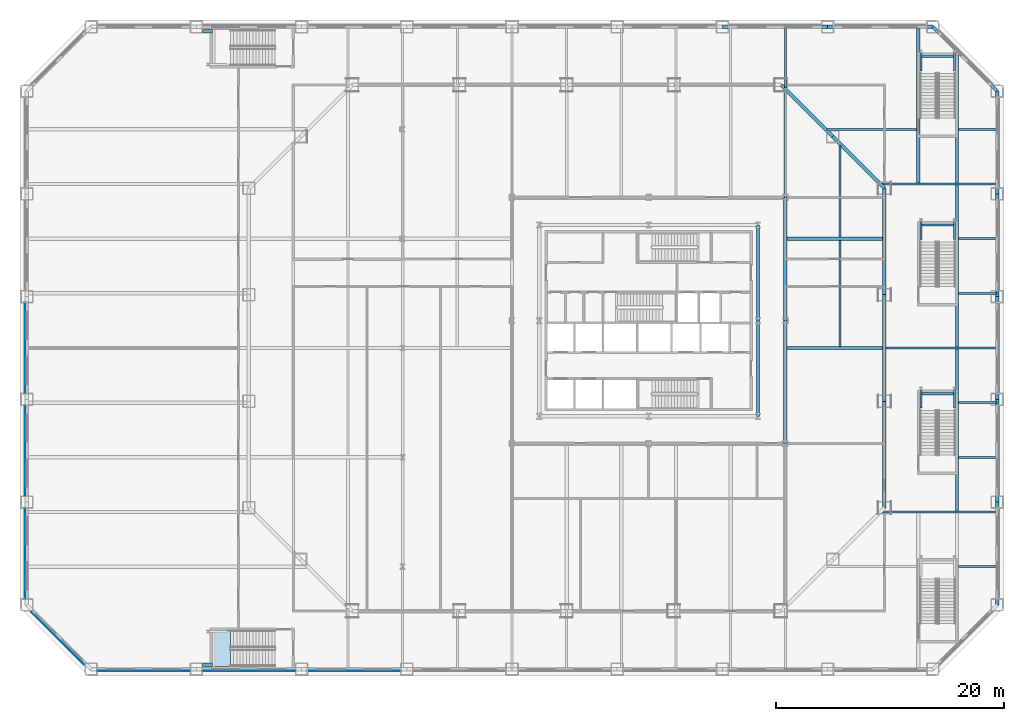
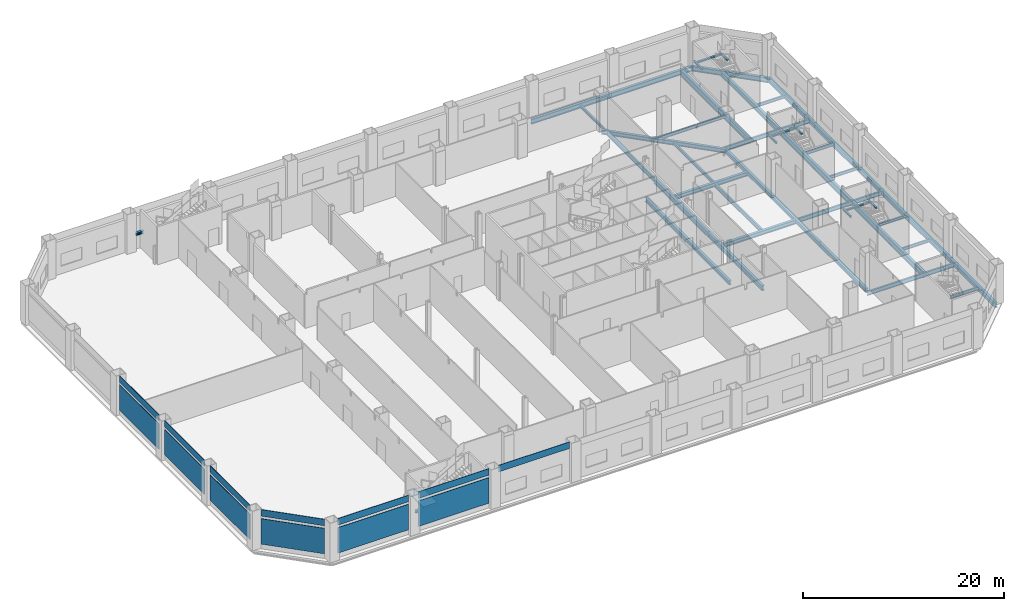
# One storey, part 10 of 25: 48 beams, 13 plates, 1 slab, 1 element without a shape of its own.
"""IFC4 building model written with IfcOpenShell, lengths in metres."""

from ifc_helpers import new_model, si_unit, direction, frame, origin, origin_2d, place, context, subcontext, project, spatial, polyline, rectangle, i_section, outline, extrude, material, layer, layer_set, material_profile, profile_set, type_object, element, aggregate, save


model = new_model("IFC4")

# Units and contexts
model_context = context("Model", 3, precision=1e-05, world=origin(), true_north=direction((0.0, 1.0)))
body_context = subcontext(model_context, "Body", "Model", "MODEL_VIEW")
ifc_project = project(units=[si_unit("LENGTHUNIT", "METRE"), si_unit("AREAUNIT", "SQUARE_METRE"), si_unit("VOLUMEUNIT", "CUBIC_METRE"), si_unit("PLANEANGLEUNIT", "RADIAN"), si_unit("MASSUNIT", "GRAM", prefix="KILO")], contexts=[model_context])

# Site, building, storey
site_placement = place(None, origin())
site = spatial("IfcSite", under=ifc_project, at=site_placement, CompositionType="ELEMENT")
building_placement = place(site_placement, origin())
building = spatial("IfcBuilding", under=site, at=building_placement, Name="Cairn Pilgrim Tower", CompositionType="ELEMENT")
storey_placement = place(building_placement, frame((0.0, 0.0, 30.60009765625)))
storey = spatial("IfcBuildingStorey", under=building, at=storey_placement, Name="L05", CompositionType="ELEMENT", Elevation=30.60009765625)

# Beams
ifc_material_1 = material(Name="Structural steel S355J2", Category="steel")
ifc_material_profile_1 = material_profile(ifc_material_1, i_section(OverallWidth=0.169921875, OverallDepth=0.360107421875, WebThickness=0.008056640625, FlangeThickness=0.0126953125, FilletRadius=0.01806640625, at=origin_2d()), Name="IPE 360")
ifc_profile_set_1 = profile_set([ifc_material_profile_1], Name="Structural steel S355J2")
beam_type_1 = type_object("IfcBeamType", Name="PODIUM BEAM IPE 360", PredefinedType="BEAM", material=ifc_profile_set_1)
for number, where, z_axis, x_axis, name in (
    (1, (34.422119140625, -19.199951171875, -0.380126953125), (1.0, 0.0, 0.0), (0.0, 1.0, 0.0), "PODIUM BEAM PB-IPE360"),
    (2, (34.422119140625, -9.60009765625, -0.380126953125), (1.0, 0.0, 0.0), (0.0, 1.0, 0.0), "PODIUM BEAM PB-IPE360"),
):
    element("IfcBeam", number, at=place(storey_placement, frame(where, z_axis=z_axis, x_axis=x_axis)), inside=storey, type_object=beam_type_1, Name=name, PredefinedType="BEAM", context=body_context, shape_type="SweptSolid", body=[
        extrude(i_section(OverallWidth=0.169921875, OverallDepth=0.360107421875, WebThickness=0.008056640625, FlangeThickness=0.0126953125, FilletRadius=0.01806640625, at=origin_2d()), origin(), (0.0, 0.0, 1.0), 3.225830078125),
    ])
for number, where, z_axis, x_axis, name in (
    (3, (34.422119140625, -4.800048828125, -0.380126953125), (1.0, 0.0, 0.0), (0.0, 1.0, 0.0), "PODIUM BEAM PB-IPE360"),
    (4, (34.422119140625, 4.800048828125, -0.380126953125), (1.0, 0.0, 0.0), (0.0, 1.0, 0.0), "PODIUM BEAM PB-IPE360"),
):
    element("IfcBeam", number, at=place(storey_placement, frame(where, z_axis=z_axis, x_axis=x_axis)), inside=storey, type_object=beam_type_1, Name=name, PredefinedType="BEAM", context=body_context, shape_type="SweptSolid", body=[
        extrude(i_section(OverallWidth=0.169921875, OverallDepth=0.360107421875, WebThickness=0.008056640625, FlangeThickness=0.0126953125, FilletRadius=0.01806640625, at=origin_2d()), origin(), (0.0, 0.0, 1.0), 3.3779296875),
    ])
for number, where, z_axis, x_axis, name in (
    (5, (34.422119140625, 9.60009765625, -0.380126953125), (1.0, 0.0, 0.0), (0.0, 1.0, 0.0), "PODIUM BEAM PB-IPE360"),
    (6, (34.422119140625, 19.199951171875, -0.380126953125), (1.0, 0.0, 0.0), (0.0, 1.0, 0.0), "PODIUM BEAM PB-IPE360"),
):
    element("IfcBeam", number, at=place(storey_placement, frame(where, z_axis=z_axis, x_axis=x_axis)), inside=storey, type_object=beam_type_1, Name=name, PredefinedType="BEAM", context=body_context, shape_type="SweptSolid", body=[
        extrude(i_section(OverallWidth=0.169921875, OverallDepth=0.360107421875, WebThickness=0.008056640625, FlangeThickness=0.0126953125, FilletRadius=0.01806640625, at=origin_2d()), origin(), (0.0, 0.0, 1.0), 3.225830078125),
    ])
beam_1_placement = place(storey_placement, frame((19.199951171875, 22.879150390625, -0.380126953125), z_axis=(0.0, 1.0, 0.0), x_axis=(-1.0, 0.0, 0.0)))
element("IfcBeam", 7, at=beam_1_placement, inside=storey, type_object=beam_type_1, Name="PODIUM BEAM PB-IPE360", PredefinedType="BEAM", context=body_context, shape_type="SweptSolid", body=[
    extrude(i_section(OverallWidth=0.169921875, OverallDepth=0.360107421875, WebThickness=0.008056640625, FlangeThickness=0.0126953125, FilletRadius=0.01806640625, at=origin_2d()), origin(), (0.0, 0.0, 1.0), 5.1689453125),
])
ifc_material_profile_2 = material_profile(ifc_material_1, i_section(OverallWidth=0.179931640625, OverallDepth=0.39990234375, WebThickness=0.008544921875, FlangeThickness=0.013427734375, FilletRadius=0.02099609375, at=origin_2d()), Name="IPE 400")
ifc_profile_set_2 = profile_set([ifc_material_profile_2], Name="Structural steel S355J2")
beam_type_2 = type_object("IfcBeamType", Name="PODIUM BEAM IPE 400", PredefinedType="BEAM", material=ifc_profile_set_2)
beam_2_placement = place(storey_placement, frame((24.0, 9.751953125, -0.400146484375), z_axis=(0.0, 1.0, 0.0), x_axis=(-1.0, 0.0, 0.0)))
element("IfcBeam", 8, at=beam_2_placement, inside=storey, type_object=beam_type_2, Name="PODIUM BEAM PB-IPE400", PredefinedType="BEAM", context=body_context, shape_type="SweptSolid", body=[
    extrude(i_section(OverallWidth=0.179931640625, OverallDepth=0.39990234375, WebThickness=0.008544921875, FlangeThickness=0.013427734375, FilletRadius=0.02099609375, at=origin_2d()), origin(), (0.0, 0.0, 1.0), 8.023193359375),
])
beam_3_placement = place(storey_placement, frame((22.879150390625, 19.199951171875, -0.400146484375), z_axis=(1.0, 0.0, 0.0), x_axis=(0.0, 1.0, 0.0)))
element("IfcBeam", 9, at=beam_3_placement, inside=storey, type_object=beam_type_2, Name="PODIUM BEAM PB-IPE400", PredefinedType="BEAM", context=body_context, shape_type="SweptSolid", body=[
    extrude(i_section(OverallWidth=0.179931640625, OverallDepth=0.39990234375, WebThickness=0.008544921875, FlangeThickness=0.013427734375, FilletRadius=0.02099609375, at=origin_2d()), origin(), (0.0, 0.0, 1.0), 7.848876953125),
])
ifc_material_profile_3 = material_profile(ifc_material_1, i_section(OverallWidth=0.199951171875, OverallDepth=0.5, WebThickness=0.01025390625, FlangeThickness=0.01611328125, FilletRadius=0.02099609375, at=origin_2d()), Name="IPE 500")
ifc_profile_set_3 = profile_set([ifc_material_profile_3], Name="Structural steel S355J2")
beam_type_3 = type_object("IfcBeamType", Name="PODIUM BEAM IPE 500", PredefinedType="BEAM", material=ifc_profile_set_3)
beam_4_placement = place(storey_placement, frame((19.199951171875, 13.199951171875, -0.4501953125), z_axis=(0.0, 1.0, 0.0), x_axis=(-1.0, 0.0, 0.0)))
element("IfcBeam", 10, at=beam_4_placement, inside=storey, type_object=beam_type_3, Name="PODIUM BEAM PB-IPE500", PredefinedType="BEAM", context=body_context, shape_type="SweptSolid", body=[
    extrude(i_section(OverallWidth=0.199951171875, OverallDepth=0.5, WebThickness=0.01025390625, FlangeThickness=0.01611328125, FilletRadius=0.02099609375, at=origin_2d()), origin(), (0.0, 0.0, 1.0), 9.375244140625),
])
beam_5_placement = place(storey_placement, frame((24.0, 0.152099609375, -0.4501953125), z_axis=(0.0, 1.0, 0.0), x_axis=(-1.0, 0.0, 0.0)))
element("IfcBeam", 11, at=beam_5_placement, inside=storey, type_object=beam_type_3, Name="PODIUM BEAM PB-IPE500", PredefinedType="BEAM", context=body_context, shape_type="SweptSolid", body=[
    extrude(i_section(OverallWidth=0.199951171875, OverallDepth=0.5, WebThickness=0.01025390625, FlangeThickness=0.01611328125, FilletRadius=0.02099609375, at=origin_2d()), origin(), (0.0, 0.0, 1.0), 9.2958984375),
])
beam_6_placement = place(storey_placement, frame((27.67919921875, -14.39990234375, -0.4501953125), z_axis=(1.0, 0.0, 0.0), x_axis=(0.0, 1.0, 0.0)))
element("IfcBeam", 12, at=beam_6_placement, inside=storey, type_object=beam_type_3, Name="PODIUM BEAM PB-IPE500", PredefinedType="BEAM", context=body_context, shape_type="SweptSolid", body=[
    extrude(i_section(OverallWidth=0.199951171875, OverallDepth=0.5, WebThickness=0.01025390625, FlangeThickness=0.01611328125, FilletRadius=0.02099609375, at=origin_2d()), origin(), (0.0, 0.0, 1.0), 9.96875),
])
beam_7_placement = place(storey_placement, frame((28.052001953125, 0.0, -0.4501953125), z_axis=(1.0, 0.0, 0.0), x_axis=(0.0, 1.0, 0.0)))
element("IfcBeam", 13, at=beam_7_placement, inside=storey, type_object=beam_type_3, Name="PODIUM BEAM PB-IPE500", PredefinedType="BEAM", context=body_context, shape_type="SweptSolid", body=[
    extrude(i_section(OverallWidth=0.199951171875, OverallDepth=0.5, WebThickness=0.01025390625, FlangeThickness=0.01611328125, FilletRadius=0.02099609375, at=origin_2d()), origin(), (0.0, 0.0, 1.0), 9.595947265625),
])
beam_8_placement = place(storey_placement, frame((27.67919921875, 14.39990234375, -0.4501953125), z_axis=(1.0, 0.0, 0.0), x_axis=(0.0, 1.0, 0.0)))
element("IfcBeam", 14, at=beam_8_placement, inside=storey, type_object=beam_type_3, Name="PODIUM BEAM PB-IPE500", PredefinedType="BEAM", context=body_context, shape_type="SweptSolid", body=[
    extrude(i_section(OverallWidth=0.199951171875, OverallDepth=0.5, WebThickness=0.01025390625, FlangeThickness=0.01611328125, FilletRadius=0.02099609375, at=origin_2d()), origin(), (0.0, 0.0, 1.0), 9.96875),
])
ifc_material_profile_4 = material_profile(ifc_material_1, i_section(OverallWidth=0.300048828125, OverallDepth=0.60009765625, WebThickness=0.015380859375, FlangeThickness=0.030029296875, FilletRadius=0.027099609375, at=origin_2d()), Name="HEB 600")
ifc_profile_set_4 = profile_set([ifc_material_profile_4], Name="Structural steel S355J2")
beam_type_4 = type_object("IfcBeamType", Name="PODIUM EDGE GIRDER HE 600 B", PredefinedType="BEAM", material=ifc_profile_set_4)
beam_9_placement = place(storey_placement, frame((37.800048828125, -22.551513671875, -0.5), z_axis=(0.0, 1.0, 0.0), x_axis=(-1.0, 0.0, 0.0)))
element("IfcBeam", 15, at=beam_9_placement, inside=storey, type_object=beam_type_4, Name="PODIUM EDGE GIRDER PE-HE600B", PredefinedType="BEAM", context=body_context, shape_type="SweptSolid", body=[
    extrude(i_section(OverallWidth=0.300048828125, OverallDepth=0.60009765625, WebThickness=0.015380859375, FlangeThickness=0.030029296875, FilletRadius=0.027099609375, at=origin_2d()), origin(), (0.0, 0.0, 1.0), 9.0205078125),
])
beam_10_placement = place(storey_placement, frame((37.800048828125, -13.531005859375, -0.5), z_axis=(0.0, 1.0, 0.0), x_axis=(-1.0, 0.0, 0.0)))
element("IfcBeam", 16, at=beam_10_placement, inside=storey, type_object=beam_type_4, Name="PODIUM EDGE GIRDER PE-HE600B", PredefinedType="BEAM", context=body_context, shape_type="SweptSolid", body=[
    extrude(i_section(OverallWidth=0.300048828125, OverallDepth=0.60009765625, WebThickness=0.015380859375, FlangeThickness=0.030029296875, FilletRadius=0.027099609375, at=origin_2d()), origin(), (0.0, 0.0, 1.0), 9.020751953125),
])
beam_11_placement = place(storey_placement, frame((37.800048828125, -4.51025390625, -0.5), z_axis=(0.0, 1.0, 0.0), x_axis=(-1.0, 0.0, 0.0)))
element("IfcBeam", 17, at=beam_11_placement, inside=storey, type_object=beam_type_4, Name="PODIUM EDGE GIRDER PE-HE600B", PredefinedType="BEAM", context=body_context, shape_type="SweptSolid", body=[
    extrude(i_section(OverallWidth=0.300048828125, OverallDepth=0.60009765625, WebThickness=0.015380859375, FlangeThickness=0.030029296875, FilletRadius=0.027099609375, at=origin_2d()), origin(), (0.0, 0.0, 1.0), 9.0205078125),
])
beam_12_placement = place(storey_placement, frame((37.800048828125, 4.51025390625, -0.5), z_axis=(0.0, 1.0, 0.0), x_axis=(-1.0, 0.0, 0.0)))
element("IfcBeam", 18, at=beam_12_placement, inside=storey, type_object=beam_type_4, Name="PODIUM EDGE GIRDER PE-HE600B", PredefinedType="BEAM", context=body_context, shape_type="SweptSolid", body=[
    extrude(i_section(OverallWidth=0.300048828125, OverallDepth=0.60009765625, WebThickness=0.015380859375, FlangeThickness=0.030029296875, FilletRadius=0.027099609375, at=origin_2d()), origin(), (0.0, 0.0, 1.0), 9.020751953125),
])
beam_13_placement = place(storey_placement, frame((37.800048828125, 13.531005859375, -0.5), z_axis=(0.0, 1.0, 0.0), x_axis=(-1.0, 0.0, 0.0)))
element("IfcBeam", 19, at=beam_13_placement, inside=storey, type_object=beam_type_4, Name="PODIUM EDGE GIRDER PE-HE600B", PredefinedType="BEAM", context=body_context, shape_type="SweptSolid", body=[
    extrude(i_section(OverallWidth=0.300048828125, OverallDepth=0.60009765625, WebThickness=0.015380859375, FlangeThickness=0.030029296875, FilletRadius=0.027099609375, at=origin_2d()), origin(), (0.0, 0.0, 1.0), 9.0205078125),
])
beam_14_placement = place(storey_placement, frame((37.800048828125, 22.551513671875, -0.5), z_axis=(-0.707106781187, 0.707106781187, 0.0), x_axis=(-0.707106781187, -0.707106781187, 0.0)))
element("IfcBeam", 20, at=beam_14_placement, inside=storey, type_object=beam_type_4, Name="PODIUM EDGE GIRDER PE-HE600B", PredefinedType="BEAM", context=body_context, shape_type="SweptSolid", body=[
    extrude(i_section(OverallWidth=0.300048828125, OverallDepth=0.60009765625, WebThickness=0.015380859375, FlangeThickness=0.030029296875, FilletRadius=0.027099609375, at=origin_2d()), origin(), (0.0, 0.0, 1.0), 7.988037109375),
])
beam_15_placement = place(storey_placement, frame((32.151611328125, 28.199951171875, -0.5), z_axis=(-1.0, 0.0, 0.0), x_axis=(0.0, -1.0, 0.0)))
element("IfcBeam", 21, at=beam_15_placement, inside=storey, type_object=beam_type_4, Name="PODIUM EDGE GIRDER PE-HE600B", PredefinedType="BEAM", context=body_context, shape_type="SweptSolid", body=[
    extrude(i_section(OverallWidth=0.300048828125, OverallDepth=0.60009765625, WebThickness=0.015380859375, FlangeThickness=0.030029296875, FilletRadius=0.027099609375, at=origin_2d()), origin(), (0.0, 0.0, 1.0), 9.238037109375),
])
beam_16_placement = place(storey_placement, frame((22.91357421875, 28.199951171875, -0.5), z_axis=(-1.0, 0.0, 0.0), x_axis=(0.0, -1.0, 0.0)))
element("IfcBeam", 22, at=beam_16_placement, inside=storey, type_object=beam_type_4, Name="PODIUM EDGE GIRDER PE-HE600B", PredefinedType="BEAM", context=body_context, shape_type="SweptSolid", body=[
    extrude(i_section(OverallWidth=0.300048828125, OverallDepth=0.60009765625, WebThickness=0.015380859375, FlangeThickness=0.030029296875, FilletRadius=0.027099609375, at=origin_2d()), origin(), (0.0, 0.0, 1.0), 9.23779296875),
])
ifc_material_profile_5 = material_profile(ifc_material_1, i_section(OverallWidth=0.300048828125, OverallDepth=0.5, WebThickness=0.014404296875, FlangeThickness=0.028076171875, FilletRadius=0.027099609375, at=origin_2d()), Name="HEB 500")
ifc_profile_set_5 = profile_set([ifc_material_profile_5], Name="Structural steel S355J2")
beam_type_5 = type_object("IfcBeamType", Name="PODIUM GIRDER HE 500 B", PredefinedType="BEAM", material=ifc_profile_set_5)
beam_17_placement = place(storey_placement, frame((27.89990234375, -14.027099609375, -0.4501953125), z_axis=(0.0, 1.0, 0.0), x_axis=(-1.0, 0.0, 0.0)))
element("IfcBeam", 23, at=beam_17_placement, inside=storey, type_object=beam_type_5, Name="PODIUM GIRDER PG-HE500B", PredefinedType="BEAM", context=body_context, shape_type="SweptSolid", body=[
    extrude(i_section(OverallWidth=0.300048828125, OverallDepth=0.5, WebThickness=0.014404296875, FlangeThickness=0.028076171875, FilletRadius=0.027099609375, at=origin_2d()), origin(), (0.0, 0.0, 1.0), 9.351318359375),
])
beam_18_placement = place(storey_placement, frame((27.89990234375, -4.67578125, -0.4501953125), z_axis=(0.0, 1.0, 0.0), x_axis=(-1.0, 0.0, 0.0)))
element("IfcBeam", 24, at=beam_18_placement, inside=storey, type_object=beam_type_5, Name="PODIUM GIRDER PG-HE500B", PredefinedType="BEAM", context=body_context, shape_type="SweptSolid", body=[
    extrude(i_section(OverallWidth=0.300048828125, OverallDepth=0.5, WebThickness=0.014404296875, FlangeThickness=0.028076171875, FilletRadius=0.027099609375, at=origin_2d()), origin(), (0.0, 0.0, 1.0), 9.3515625),
])
beam_19_placement = place(storey_placement, frame((27.89990234375, 4.67578125, -0.4501953125), z_axis=(0.0, 1.0, 0.0), x_axis=(-1.0, 0.0, 0.0)))
element("IfcBeam", 25, at=beam_19_placement, inside=storey, type_object=beam_type_5, Name="PODIUM GIRDER PG-HE500B", PredefinedType="BEAM", context=body_context, shape_type="SweptSolid", body=[
    extrude(i_section(OverallWidth=0.300048828125, OverallDepth=0.5, WebThickness=0.014404296875, FlangeThickness=0.028076171875, FilletRadius=0.027099609375, at=origin_2d()), origin(), (0.0, 0.0, 1.0), 9.351318359375),
])
for number, where, z_axis, x_axis, name in (
    (26, (27.89990234375, 14.027099609375, -0.4501953125), (-0.707087753759, 0.707125808102, 0.0), (-0.707125808102, -0.707087753759, 0.0), "PODIUM GIRDER PG-HE500B"),
    (27, (23.363525390625, 18.563720703125, -0.4501953125), (-0.707106781187, 0.707106781187, 0.0), (-0.707106781187, -0.707106781187, 0.0), "PODIUM GIRDER PG-HE500B"),
):
    element("IfcBeam", number, at=place(storey_placement, frame(where, z_axis=z_axis, x_axis=x_axis)), inside=storey, type_object=beam_type_5, Name=name, PredefinedType="BEAM", context=body_context, shape_type="SweptSolid", body=[
        extrude(i_section(OverallWidth=0.300048828125, OverallDepth=0.5, WebThickness=0.014404296875, FlangeThickness=0.028076171875, FilletRadius=0.027099609375, at=origin_2d()), origin(), (0.0, 0.0, 1.0), 6.41552734375),
    ])
beam_20_placement = place(storey_placement, frame((16.800048828125, -6.0, -0.4501953125), z_axis=(0.0, 1.0, 0.0), x_axis=(-1.0, 0.0, 0.0)))
element("IfcBeam", 28, at=beam_20_placement, inside=storey, type_object=beam_type_5, Name="PODIUM GIRDER PG-HE500B", PredefinedType="BEAM", context=body_context, shape_type="SweptSolid", body=[
    extrude(i_section(OverallWidth=0.300048828125, OverallDepth=0.5, WebThickness=0.014404296875, FlangeThickness=0.028076171875, FilletRadius=0.027099609375, at=origin_2d()), origin(), (0.0, 0.0, 1.0), 8.39990234375),
])
beam_21_placement = place(storey_placement, frame((16.800048828125, 2.39990234375, -0.4501953125), z_axis=(0.0, 1.0, 0.0), x_axis=(-1.0, 0.0, 0.0)))
element("IfcBeam", 29, at=beam_21_placement, inside=storey, type_object=beam_type_5, Name="PODIUM GIRDER PG-HE500B", PredefinedType="BEAM", context=body_context, shape_type="SweptSolid", body=[
    extrude(i_section(OverallWidth=0.300048828125, OverallDepth=0.5, WebThickness=0.014404296875, FlangeThickness=0.028076171875, FilletRadius=0.027099609375, at=origin_2d()), origin(), (0.0, 0.0, 1.0), 8.400146484375),
])
for number, where, z_axis, x_axis, name in (
    (30, (19.35205078125, 0.0, -0.4501953125), (1.0, 0.0, 0.0), (0.0, 1.0, 0.0), "PODIUM GIRDER PG-HE500B"),
    (31, (19.35205078125, 9.60009765625, -0.4501953125), (1.0, 0.0, 0.0), (0.0, 1.0, 0.0), "PODIUM GIRDER PG-HE500B"),
):
    element("IfcBeam", number, at=place(storey_placement, frame(where, z_axis=z_axis, x_axis=x_axis)), inside=storey, type_object=beam_type_5, Name=name, PredefinedType="BEAM", context=body_context, shape_type="SweptSolid", body=[
        extrude(i_section(OverallWidth=0.300048828125, OverallDepth=0.5, WebThickness=0.014404296875, FlangeThickness=0.028076171875, FilletRadius=0.027099609375, at=origin_2d()), origin(), (0.0, 0.0, 1.0), 8.39599609375),
    ])
ifc_material_profile_6 = material_profile(ifc_material_1, i_section(OverallWidth=0.300048828125, OverallDepth=0.60009765625, WebThickness=0.015380859375, FlangeThickness=0.030029296875, FilletRadius=0.027099609375, at=origin_2d()), Name="HEB 600")
ifc_profile_set_6 = profile_set([ifc_material_profile_6], Name="Structural steel S355J2")
beam_type_6 = type_object("IfcBeamType", Name="PODIUM GIRDER HE 600 B", PredefinedType="BEAM", material=ifc_profile_set_6)
beam_22_placement = place(storey_placement, frame((19.199951171875, -8.39990234375, -0.5), z_axis=(0.0, 1.0, 0.0), x_axis=(-1.0, 0.0, 0.0)))
element("IfcBeam", 32, at=beam_22_placement, inside=storey, type_object=beam_type_6, Name="PODIUM GIRDER PG-HE600B", PredefinedType="BEAM", context=body_context, shape_type="SweptSolid", body=[
    extrude(i_section(OverallWidth=0.300048828125, OverallDepth=0.60009765625, WebThickness=0.015380859375, FlangeThickness=0.030029296875, FilletRadius=0.027099609375, at=origin_2d()), origin(), (0.0, 0.0, 1.0), 10.7998046875),
])
beam_23_placement = place(storey_placement, frame((19.199951171875, 2.39990234375, -0.5), z_axis=(0.0, 1.0, 0.0), x_axis=(-1.0, 0.0, 0.0)))
element("IfcBeam", 33, at=beam_23_placement, inside=storey, type_object=beam_type_6, Name="PODIUM GIRDER PG-HE600B", PredefinedType="BEAM", context=body_context, shape_type="SweptSolid", body=[
    extrude(i_section(OverallWidth=0.300048828125, OverallDepth=0.60009765625, WebThickness=0.015380859375, FlangeThickness=0.030029296875, FilletRadius=0.027099609375, at=origin_2d()), origin(), (0.0, 0.0, 1.0), 10.800048828125),
])
beam_24_placement = place(storey_placement, frame((34.27001953125, 14.501953125, -0.5), z_axis=(0.0, 1.0, 0.0), x_axis=(-1.0, 0.0, 0.0)))
element("IfcBeam", 34, at=beam_24_placement, inside=storey, type_object=beam_type_6, Name="PODIUM GIRDER PG-HE600B", PredefinedType="BEAM", context=body_context, shape_type="SweptSolid", body=[
    extrude(i_section(OverallWidth=0.300048828125, OverallDepth=0.60009765625, WebThickness=0.015380859375, FlangeThickness=0.030029296875, FilletRadius=0.027099609375, at=origin_2d()), origin(), (0.0, 0.0, 1.0), 11.427490234375),
])
ifc_material_profile_7 = material_profile(ifc_material_1, i_section(OverallWidth=0.300048828125, OverallDepth=0.699951171875, WebThickness=0.01708984375, FlangeThickness=0.031982421875, FilletRadius=0.027099609375, at=origin_2d()), Name="HEB 700")
ifc_profile_set_7 = profile_set([ifc_material_profile_7], Name="Structural steel S355J2")
beam_type_7 = type_object("IfcBeamType", Name="PODIUM GIRDER HE 700 B", PredefinedType="BEAM", material=ifc_profile_set_7)
for number, where, z_axis, x_axis, name in (
    (35, (34.27001953125, -14.298095703125, -0.550048828125), (0.0, 1.0, 0.0), (-1.0, 0.0, 0.0), "PODIUM GIRDER PG-HE700B"),
    (36, (34.27001953125, 0.10205078125, -0.550048828125), (0.0, 1.0, 0.0), (-1.0, 0.0, 0.0), "PODIUM GIRDER PG-HE700B"),
):
    element("IfcBeam", number, at=place(storey_placement, frame(where, z_axis=z_axis, x_axis=x_axis)), inside=storey, type_object=beam_type_7, Name=name, PredefinedType="BEAM", context=body_context, shape_type="SweptSolid", body=[
        extrude(i_section(OverallWidth=0.300048828125, OverallDepth=0.699951171875, WebThickness=0.01708984375, FlangeThickness=0.031982421875, FilletRadius=0.027099609375, at=origin_2d()), origin(), (0.0, 0.0, 1.0), 14.196044921875),
    ])
beam_25_placement = place(storey_placement, frame((30.8798828125, 14.501953125, -0.550048828125), z_axis=(0.0, 1.0, 0.0), x_axis=(-1.0, 0.0, 0.0)))
element("IfcBeam", 37, at=beam_25_placement, inside=storey, type_object=beam_type_7, Name="PODIUM GIRDER PG-HE700B", PredefinedType="BEAM", context=body_context, shape_type="SweptSolid", body=[
    extrude(i_section(OverallWidth=0.300048828125, OverallDepth=0.699951171875, WebThickness=0.01708984375, FlangeThickness=0.031982421875, FilletRadius=0.027099609375, at=origin_2d()), origin(), (0.0, 0.0, 1.0), 13.546142578125),
])
ifc_material_profile_8 = material_profile(ifc_material_1, i_section(OverallWidth=0.199951171875, OverallDepth=0.199951171875, WebThickness=0.009033203125, FlangeThickness=0.014892578125, FilletRadius=0.01806640625, at=origin_2d()), Name="HE 200 B")
ifc_profile_set_8 = profile_set([ifc_material_profile_8], Name="Structural steel S355J2")
beam_type_8 = type_object("IfcBeamType", Name="STAIR LANDING BEAM HE 200 B", PredefinedType="BEAM", material=ifc_profile_set_8)
for number, where, z_axis, x_axis, name in (
    (38, (31.10498046875, -3.659912109375, 2.099853515625), (0.0, -1.0, 0.0), (1.0, 0.0, 0.0), "STAIR LANDING BEAM LD-HE200B"),
    (39, (34.044921875, -3.659912109375, 2.099853515625), (0.0, -1.0, 0.0), (1.0, 0.0, 0.0), "STAIR LANDING BEAM LD-HE200B"),
):
    element("IfcBeam", number, at=place(storey_placement, frame(where, z_axis=z_axis, x_axis=x_axis)), inside=storey, type_object=beam_type_8, Name=name, PredefinedType="BEAM", context=body_context, shape_type="SweptSolid", body=[
        extrude(i_section(OverallWidth=0.199951171875, OverallDepth=0.199951171875, WebThickness=0.009033203125, FlangeThickness=0.014892578125, FilletRadius=0.01806640625, at=origin_2d()), origin(), (0.0, 0.0, 1.0), 1.625),
    ])
beam_26_placement = place(storey_placement, frame((31.205078125, -4.0048828125, 2.099853515625), z_axis=(1.0, 0.0, 0.0), x_axis=(0.0, 1.0, 0.0)))
element("IfcBeam", 40, at=beam_26_placement, inside=storey, type_object=beam_type_8, Name="STAIR LANDING BEAM LD-HE200B", PredefinedType="BEAM", context=body_context, shape_type="SweptSolid", body=[
    extrude(i_section(OverallWidth=0.199951171875, OverallDepth=0.199951171875, WebThickness=0.009033203125, FlangeThickness=0.014892578125, FilletRadius=0.01806640625, at=origin_2d()), origin(), (0.0, 0.0, 1.0), 2.739990234375),
])
for number, where, z_axis, x_axis, name in (
    (41, (31.10498046875, 11.139892578125, 2.099853515625), (0.0, -1.0, 0.0), (1.0, 0.0, 0.0), "STAIR LANDING BEAM LD-HE200B"),
    (42, (34.044921875, 11.139892578125, 2.099853515625), (0.0, -1.0, 0.0), (1.0, 0.0, 0.0), "STAIR LANDING BEAM LD-HE200B"),
):
    element("IfcBeam", number, at=place(storey_placement, frame(where, z_axis=z_axis, x_axis=x_axis)), inside=storey, type_object=beam_type_8, Name=name, PredefinedType="BEAM", context=body_context, shape_type="SweptSolid", body=[
        extrude(i_section(OverallWidth=0.199951171875, OverallDepth=0.199951171875, WebThickness=0.009033203125, FlangeThickness=0.014892578125, FilletRadius=0.01806640625, at=origin_2d()), origin(), (0.0, 0.0, 1.0), 1.625),
    ])
beam_27_placement = place(storey_placement, frame((31.205078125, 10.794921875, 2.099853515625), z_axis=(1.0, 0.0, 0.0), x_axis=(0.0, 1.0, 0.0)))
element("IfcBeam", 43, at=beam_27_placement, inside=storey, type_object=beam_type_8, Name="STAIR LANDING BEAM LD-HE200B", PredefinedType="BEAM", context=body_context, shape_type="SweptSolid", body=[
    extrude(i_section(OverallWidth=0.199951171875, OverallDepth=0.199951171875, WebThickness=0.009033203125, FlangeThickness=0.014892578125, FilletRadius=0.01806640625, at=origin_2d()), origin(), (0.0, 0.0, 1.0), 2.739990234375),
])
for number, where, z_axis, x_axis, name in (
    (44, (31.10498046875, 25.93994140625, 2.099853515625), (0.0, -1.0, 0.0), (1.0, 0.0, 0.0), "STAIR LANDING BEAM LD-HE200B"),
    (45, (34.044921875, 25.93994140625, 2.099853515625), (0.0, -1.0, 0.0), (1.0, 0.0, 0.0), "STAIR LANDING BEAM LD-HE200B"),
):
    element("IfcBeam", number, at=place(storey_placement, frame(where, z_axis=z_axis, x_axis=x_axis)), inside=storey, type_object=beam_type_8, Name=name, PredefinedType="BEAM", context=body_context, shape_type="SweptSolid", body=[
        extrude(i_section(OverallWidth=0.199951171875, OverallDepth=0.199951171875, WebThickness=0.009033203125, FlangeThickness=0.014892578125, FilletRadius=0.01806640625, at=origin_2d()), origin(), (0.0, 0.0, 1.0), 1.625),
    ])
beam_28_placement = place(storey_placement, frame((31.205078125, 25.594970703125, 2.099853515625), z_axis=(1.0, 0.0, 0.0), x_axis=(0.0, 1.0, 0.0)))
element("IfcBeam", 46, at=beam_28_placement, inside=storey, type_object=beam_type_8, Name="STAIR LANDING BEAM LD-HE200B", PredefinedType="BEAM", context=body_context, shape_type="SweptSolid", body=[
    extrude(i_section(OverallWidth=0.199951171875, OverallDepth=0.199951171875, WebThickness=0.009033203125, FlangeThickness=0.014892578125, FilletRadius=0.01806640625, at=origin_2d()), origin(), (0.0, 0.0, 1.0), 2.739990234375),
])
ifc_material_profile_9 = material_profile(ifc_material_1, i_section(OverallWidth=0.300048828125, OverallDepth=0.300048828125, WebThickness=0.010986328125, FlangeThickness=0.01904296875, FilletRadius=0.027099609375, at=origin_2d()), Name="HE 300 B")
ifc_profile_set_9 = profile_set([ifc_material_profile_9], Name="Structural steel S355J2")
beam_type_9 = type_object("IfcBeamType", Name="STAIR LANDING BRACKET HE 300 B", PredefinedType="BEAM", material=ifc_profile_set_9)
for number, where, z_axis, x_axis, name in (
    (47, (-31.963623046875, 27.800048828125, 2.0498046875), (1.0, 0.0, 0.0), (0.0, 1.0, 0.0), "STAIR LANDING BRACKET LB-HE300B"),
    (48, (-31.963623046875, -27.800048828125, 2.0498046875), (1.0, 0.0, 0.0), (0.0, 1.0, 0.0), "STAIR LANDING BRACKET LB-HE300B"),
):
    element("IfcBeam", number, at=place(storey_placement, frame(where, z_axis=z_axis, x_axis=x_axis)), inside=storey, type_object=beam_type_9, Name=name, PredefinedType="BEAM", context=body_context, shape_type="SweptSolid", body=[
        extrude(i_section(OverallWidth=0.300048828125, OverallDepth=0.300048828125, WebThickness=0.010986328125, FlangeThickness=0.01904296875, FilletRadius=0.027099609375, at=origin_2d()), origin(), (0.0, 0.0, 1.0), 0.86865234375),
    ])

# Plates
ifc_material_2 = material(Name="Bronze anodised aluminium", Category="aluminium")
ifc_layer_1 = layer(ifc_material_2, 0.050048828125)
ifc_layer_set_1 = layer_set([ifc_layer_1], Name="BRONZE FASCIA PANEL 50")
plate_type_1 = type_object("IfcPlateType", Name="BRONZE FASCIA PANEL 50", PredefinedType="SHEET", material=ifc_layer_set_1)
for number, where, z_axis, x_axis, name in (
    (49, (-37.132568359375, -28.375, 4.0), (0.0, 0.0, 1.0), (1.0, 0.0, 0.0), "FASCIA"),
    (50, (-27.894775390625, -28.375, 4.0), (0.0, 0.0, 1.0), (1.0, 0.0, 0.0), "FASCIA"),
    (51, (-18.65673828125, -28.375, 4.0), (0.0, 0.0, 1.0), (1.0, 0.0, 0.0), "FASCIA"),
):
    element("IfcPlate", number, at=place(storey_placement, frame(where, z_axis=z_axis, x_axis=x_axis)), inside=storey, type_object=plate_type_1, Name=name, PredefinedType="SHEET", context=body_context, shape_type="SweptSolid", body=[
        extrude(rectangle(XDim=8.137939453125, YDim=0.050048828125, at=origin_2d()), origin(), (0.0, 0.0, 1.0), 0.800048828125),
    ])
for number, where, z_axis, x_axis, name in (
    (52, (-47.574951171875, 0.0, 4.0), (0.0, 0.0, 1.0), (0.0, -1.0, 0.0), "FASCIA"),
    (53, (-47.574951171875, -9.0205078125, 4.0), (0.0, 0.0, 1.0), (0.0, -1.0, 0.0), "FASCIA"),
    (54, (-47.574951171875, -18.041259765625, 4.0), (0.0, 0.0, 1.0), (0.0, -1.0, 0.0), "FASCIA"),
):
    element("IfcPlate", number, at=place(storey_placement, frame(where, z_axis=z_axis, x_axis=x_axis)), inside=storey, type_object=plate_type_1, Name=name, PredefinedType="SHEET", context=body_context, shape_type="SweptSolid", body=[
        extrude(rectangle(XDim=7.920654296875, YDim=0.050048828125, at=origin_2d()), origin(), (0.0, 0.0, 1.0), 0.800048828125),
    ])
plate_1_placement = place(storey_placement, frame((-44.699462890625, -25.49951171875, 4.0), z_axis=(0.0, 0.0, 1.0), x_axis=(0.707106781187, -0.707106781187, 0.0)))
element("IfcPlate", 55, at=plate_1_placement, inside=storey, type_object=plate_type_1, Name="FASCIA", PredefinedType="SHEET", context=body_context, shape_type="SweptSolid", body=[
    extrude(rectangle(XDim=6.50830078125, YDim=0.050048828125, at=origin_2d()), origin(), (0.0, 0.0, 1.0), 0.800048828125),
])
ifc_material_3 = material(Name="Perforated bronze anodised aluminium", Category="aluminium")
ifc_layer_2 = layer(ifc_material_3, 0.050048828125)
ifc_layer_set_2 = layer_set([ifc_layer_2], Name="COBOGO SCREEN 50 BRONZE")
plate_type_2 = type_object("IfcPlateType", Name="COBOGO SCREEN 50 BRONZE", PredefinedType="SHEET", material=ifc_layer_set_2)
for number, where, z_axis, x_axis, name in (
    (56, (-37.132568359375, -28.375, 0.599853515625), (0.0, 0.0, 1.0), (1.0, 0.0, 0.0), "SCREEN"),
    (57, (-27.894775390625, -28.375, 0.599853515625), (0.0, 0.0, 1.0), (1.0, 0.0, 0.0), "SCREEN"),
):
    element("IfcPlate", number, at=place(storey_placement, frame(where, z_axis=z_axis, x_axis=x_axis)), inside=storey, type_object=plate_type_2, Name=name, PredefinedType="SHEET", context=body_context, shape_type="SweptSolid", body=[
        extrude(rectangle(XDim=8.137939453125, YDim=0.050048828125, at=origin_2d()), origin(), (0.0, 0.0, 1.0), 3.10009765625),
    ])
for number, where, z_axis, x_axis, name in (
    (58, (-47.574951171875, 0.0, 0.599853515625), (0.0, 0.0, 1.0), (0.0, -1.0, 0.0), "SCREEN"),
    (59, (-47.574951171875, -9.0205078125, 0.599853515625), (0.0, 0.0, 1.0), (0.0, -1.0, 0.0), "SCREEN"),
    (60, (-47.574951171875, -18.041259765625, 0.599853515625), (0.0, 0.0, 1.0), (0.0, -1.0, 0.0), "SCREEN"),
):
    element("IfcPlate", number, at=place(storey_placement, frame(where, z_axis=z_axis, x_axis=x_axis)), inside=storey, type_object=plate_type_2, Name=name, PredefinedType="SHEET", context=body_context, shape_type="SweptSolid", body=[
        extrude(rectangle(XDim=7.920654296875, YDim=0.050048828125, at=origin_2d()), origin(), (0.0, 0.0, 1.0), 3.10009765625),
    ])
plate_2_placement = place(storey_placement, frame((-44.699462890625, -25.49951171875, 0.599853515625), z_axis=(0.0, 0.0, 1.0), x_axis=(0.707106781187, -0.707106781187, 0.0)))
element("IfcPlate", 61, at=plate_2_placement, inside=storey, type_object=plate_type_2, Name="SCREEN", PredefinedType="SHEET", context=body_context, shape_type="SweptSolid", body=[
    extrude(rectangle(XDim=6.50830078125, YDim=0.050048828125, at=origin_2d()), origin(), (0.0, 0.0, 1.0), 3.10009765625),
])

# Stair, slab
ifc_material_4 = material(Name="Concrete C35/45", Category="concrete")
stair_type = type_object("IfcStairType", Name="PODIUM EXIT STAIR 1500", PredefinedType="HALF_TURN_STAIR", material=ifc_material_4)
stair_placement = place(storey_placement, origin())
stair = element("IfcStair", 62, at=stair_placement, inside=storey, type_object=stair_type, Name="L05 Exit Stair Hs", PredefinedType="HALF_TURN_STAIR")
ifc_layer_3 = layer(ifc_material_4, 0.199951171875)
ifc_layer_set_3 = layer_set([ifc_layer_3], Name="PODIUM STAIR LANDING 200")
slab_type = type_object("IfcSlabType", Name="PODIUM STAIR LANDING 200", PredefinedType="LANDING", material=ifc_layer_set_3)
slab_placement = place(storey_placement, frame((0.0, 0.0, 2.199951171875)))
slab = element("IfcSlab", 63, at=slab_placement, type_object=slab_type, Name="ST-HS landing 1", PredefinedType="LANDING", context=body_context, shape_type="SweptSolid", body=[
    extrude(outline(polyline([(-29.52001953125, -24.800048828125), (-31.10009765625, -24.800048828125), (-31.10009765625, -27.949951171875), (-29.52001953125, -27.949951171875), (-29.52001953125, -24.800048828125)])), origin(), (0.0, 0.0, 1.0), 0.199951171875),
])
aggregate(stair, [slab])

save(model, "model.ifc")
